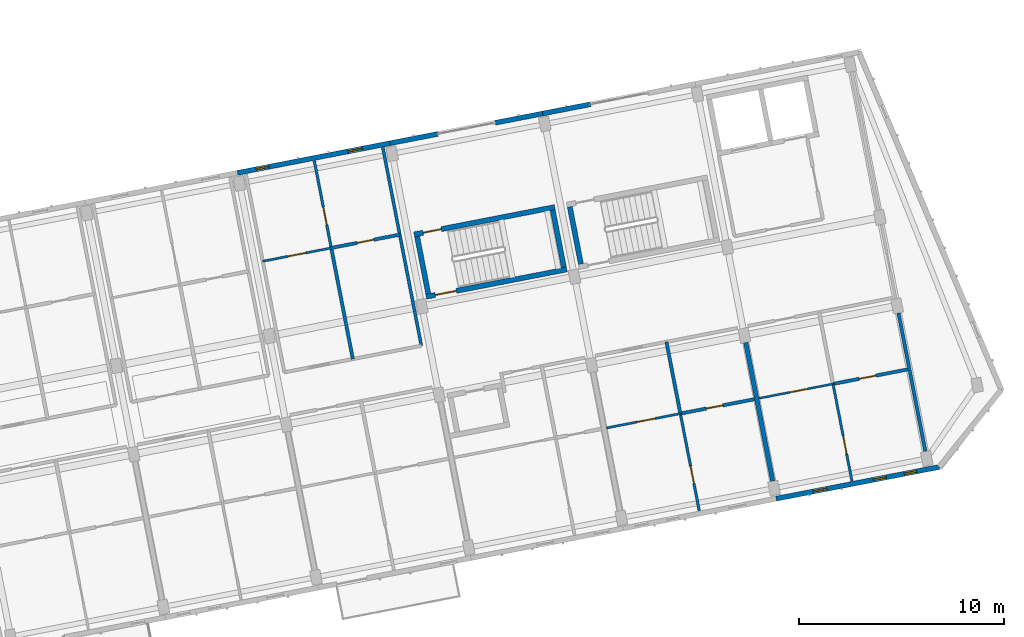
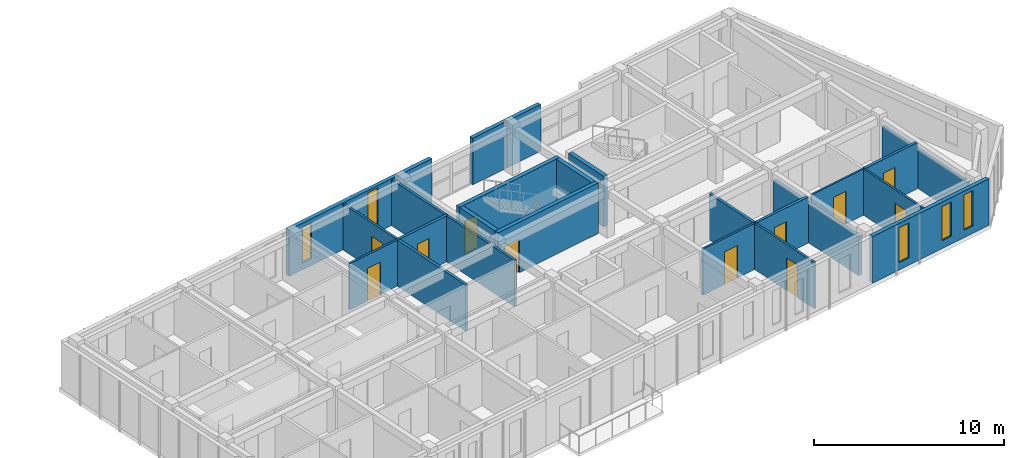
# One storey, part 89 of 127: 24 walls, 11 doors, 5 windows, 16 openings.
"""IFC4 building model written with IfcOpenShell, lengths in metres."""

from ifc_helpers import new_model, si_unit, direction, frame, frame_2d, origin, place, context, subcontext, project, spatial, rectangle, extrude, material, layer, layer_set, type_object, element, fill, save


model = new_model("IFC4")

# Units and contexts
model_context = context("Model", 3, precision=1e-05, world=origin(), true_north=direction((0.0, 1.0)))
body_context = subcontext(model_context, "Body", "Model", "MODEL_VIEW")
ifc_project = project(units=[si_unit("LENGTHUNIT", "METRE"), si_unit("AREAUNIT", "SQUARE_METRE"), si_unit("VOLUMEUNIT", "CUBIC_METRE"), si_unit("PLANEANGLEUNIT", "RADIAN"), si_unit("MASSUNIT", "GRAM", prefix="KILO")], contexts=[model_context])

# Site, building, storey
site_placement = place(None, origin())
site = spatial("IfcSite", under=ifc_project, at=site_placement, CompositionType="ELEMENT")
building_placement = place(site_placement, origin())
building = spatial("IfcBuilding", under=site, at=building_placement, Name="Kestramere Prow Commons", CompositionType="ELEMENT")
storey_placement = place(building_placement, frame((0.0, 0.0, 8.39990234375)))
storey = spatial("IfcBuildingStorey", under=building, at=storey_placement, Name="L02", CompositionType="ELEMENT", Elevation=8.39990234375)

# Wall, openings, windows
ifc_material_1 = material(Name="Fluoropolymer Standing-Seam Zinc-Aluminium Cladding", Category="aluminium")
ifc_layer_1 = layer(ifc_material_1, 0.239990234375)
ifc_layer_set_1 = layer_set([ifc_layer_1], Name="Fluoropolymer Standing-Seam Zinc-Aluminium Cladding")
wall_type_1 = type_object("IfcWallType", Name="EW-SEAM-240", PredefinedType="SOLIDWALL", material=ifc_layer_set_1)
wall_1_placement = place(storey_placement, frame((163.77783203125, 42.28564453125, 0.0), z_axis=(0.0, 0.0, 1.0), x_axis=(-0.981628367112, -0.190802905848, 0.0)))
wall_1 = element("IfcWall", 1, at=wall_1_placement, inside=storey, type_object=wall_type_1, Name="Block D L02 South Standing-Seam Wall 6", PredefinedType="SOLIDWALL", context=body_context, shape_type="SweptSolid", body=[
    extrude(rectangle(XDim=8.125, YDim=0.239990234375, at=frame_2d((4.0625, 0.0))), origin(), (0.0, 0.0, 1.0), 3.0),
])
opening_1_placement = place(wall_1_placement, frame((1.135009765625, 0.0, 0.47998046875)))
opening_1 = element("IfcOpeningElement", 2, at=opening_1_placement, cuts=wall_1, Name="Opening WN-03", PredefinedType="OPENING", context=body_context, shape_type="SweptSolid", body=[
    extrude(rectangle(XDim=0.6201171875, YDim=2.280029296875, at=frame_2d((0.31005859375, 1.14013671875))), frame((0.0, 0.135009765625, 0.0), z_axis=(0.0, -1.0, 0.0), x_axis=(1.0, 0.0, 0.0)), (0.0, 0.0, 1.0), 0.27001953125),
])
opening_2_placement = place(wall_1_placement, frame((2.636962890625, 0.0, 0.52001953125)))
opening_2 = element("IfcOpeningElement", 3, at=opening_2_placement, cuts=wall_1, Name="Opening WN-04", PredefinedType="OPENING", context=body_context, shape_type="SweptSolid", body=[
    extrude(rectangle(XDim=0.639892578125, YDim=2.179931640625, at=frame_2d((0.31982421875, 1.08984375))), frame((0.0, 0.135009765625, 0.0), z_axis=(0.0, -1.0, 0.0), x_axis=(1.0, 0.0, 0.0)), (0.0, 0.0, 1.0), 0.27001953125),
])
opening_3_placement = place(wall_1_placement, frame((5.597900390625, 0.0, 0.47998046875)))
opening_3 = element("IfcOpeningElement", 4, at=opening_3_placement, cuts=wall_1, Name="Opening WN-06", PredefinedType="OPENING", context=body_context, shape_type="SweptSolid", body=[
    extrude(rectangle(XDim=0.679931640625, YDim=2.239990234375, at=frame_2d((0.33984375, 1.1201171875))), frame((0.0, 0.135009765625, 0.0), z_axis=(0.0, -1.0, 0.0), x_axis=(1.0, 0.0, 0.0)), (0.0, 0.0, 1.0), 0.27001953125),
])
ifc_material_2 = material(Name="Low-E Laminated Double Glazing", Category="glass")
window_type_1 = type_object("IfcWindowType", Name="WN-NAR-620A", PartitioningType="SINGLE_PANEL", PredefinedType="WINDOW", material=ifc_material_2)
window_1_placement = place(opening_1_placement, origin())
window_1 = element("IfcWindow", 5, at=window_1_placement, inside=storey, type_object=window_type_1, Name="WN-D-L02-S-5-00", OverallHeight=2.280029296875, OverallWidth=0.6201171875, PartitioningType="SINGLE_PANEL", PredefinedType="WINDOW", context=body_context, shape_type="SweptSolid", body=[
    extrude(rectangle(XDim=0.6201171875, YDim=2.280029296875, at=frame_2d((0.31005859375, 1.14013671875))), frame((0.0, 0.030029296875, 0.0), z_axis=(0.0, -1.0, 0.0), x_axis=(1.0, 0.0, 0.0)), (0.0, 0.0, 1.0), 0.06005859375),
])
fill(opening_1, window_1)
window_type_2 = type_object("IfcWindowType", Name="WN-NAR-640A", PartitioningType="SINGLE_PANEL", PredefinedType="WINDOW", material=ifc_material_2)
window_2_placement = place(opening_2_placement, origin())
window_2 = element("IfcWindow", 6, at=window_2_placement, inside=storey, type_object=window_type_2, Name="WN-D-L02-S-5-01", OverallHeight=2.179931640625, OverallWidth=0.639892578125, PartitioningType="SINGLE_PANEL", PredefinedType="WINDOW", context=body_context, shape_type="SweptSolid", body=[
    extrude(rectangle(XDim=0.639892578125, YDim=2.179931640625, at=frame_2d((0.31982421875, 1.08984375))), frame((0.0, 0.030029296875, 0.0), z_axis=(0.0, -1.0, 0.0), x_axis=(1.0, 0.0, 0.0)), (0.0, 0.0, 1.0), 0.06005859375),
])
fill(opening_2, window_2)
window_type_3 = type_object("IfcWindowType", Name="WN-NAR-680A", PartitioningType="SINGLE_PANEL", PredefinedType="WINDOW", material=ifc_material_2)
window_3_placement = place(opening_3_placement, origin())
window_3 = element("IfcWindow", 7, at=window_3_placement, inside=storey, type_object=window_type_3, Name="WN-D-L02-S-5-10", OverallHeight=2.239990234375, OverallWidth=0.679931640625, PartitioningType="SINGLE_PANEL", PredefinedType="WINDOW", context=body_context, shape_type="SweptSolid", body=[
    extrude(rectangle(XDim=0.679931640625, YDim=2.239990234375, at=frame_2d((0.33984375, 1.1201171875))), frame((0.0, 0.030029296875, 0.0), z_axis=(0.0, -1.0, 0.0), x_axis=(1.0, 0.0, 0.0)), (0.0, 0.0, 1.0), 0.06005859375),
])
fill(opening_3, window_3)

wall_2_placement = place(storey_placement, frame((129.480712890625, 56.655517578125, 0.0), z_axis=(0.0, 0.0, 1.0), x_axis=(0.981626422232, 0.190812911449, 0.0)))
wall_2 = element("IfcWall", 8, at=wall_2_placement, inside=storey, type_object=wall_type_1, Name="Block D L02 North Standing-Seam Wall 3", PredefinedType="SOLIDWALL", context=body_context, shape_type="SweptSolid", body=[
    extrude(rectangle(XDim=7.60009765625, YDim=0.239990234375, at=frame_2d((3.800048828125, 0.0))), origin(), (0.0, 0.0, 1.0), 3.0),
])
opening_4_placement = place(wall_2_placement, frame((0.93359375, 0.0, 0.43994140625)))
opening_4 = element("IfcOpeningElement", 9, at=opening_4_placement, cuts=wall_2, Name="Opening WN-03", PredefinedType="OPENING", context=body_context, shape_type="SweptSolid", body=[
    extrude(rectangle(XDim=0.6201171875, YDim=2.280029296875, at=frame_2d((0.31005859375, 1.14013671875))), frame((0.0, 0.135009765625, 0.0), z_axis=(0.0, -1.0, 0.0), x_axis=(1.0, 0.0, 0.0)), (0.0, 0.0, 1.0), 0.27001953125),
])
opening_5_placement = place(wall_2_placement, frame((5.506103515625, 0.0, 0.5)))
opening_5 = element("IfcOpeningElement", 10, at=opening_5_placement, cuts=wall_2, Name="Opening WN-07", PredefinedType="OPENING", context=body_context, shape_type="SweptSolid", body=[
    extrude(rectangle(XDim=0.699951171875, YDim=2.360107421875, at=frame_2d((0.35009765625, 1.18017578125))), frame((0.0, 0.135009765625, 0.0), z_axis=(0.0, -1.0, 0.0), x_axis=(1.0, 0.0, 0.0)), (0.0, 0.0, 1.0), 0.27001953125),
])
window_4_placement = place(opening_4_placement, origin())
window_4 = element("IfcWindow", 11, at=window_4_placement, inside=storey, type_object=window_type_1, Name="WN-D-L02-N-2-0", OverallHeight=2.280029296875, OverallWidth=0.6201171875, PartitioningType="SINGLE_PANEL", PredefinedType="WINDOW", context=body_context, shape_type="SweptSolid", body=[
    extrude(rectangle(XDim=0.6201171875, YDim=2.280029296875, at=frame_2d((0.31005859375, 1.14013671875))), frame((0.0, 0.030029296875, 0.0), z_axis=(0.0, -1.0, 0.0), x_axis=(1.0, 0.0, 0.0)), (0.0, 0.0, 1.0), 0.06005859375),
])
fill(opening_4, window_4)
window_type_4 = type_object("IfcWindowType", Name="WN-NAR-700A", PartitioningType="SINGLE_PANEL", PredefinedType="WINDOW", material=ifc_material_2)
window_5_placement = place(opening_5_placement, origin())
window_5 = element("IfcWindow", 12, at=window_5_placement, inside=storey, type_object=window_type_4, Name="WN-D-L02-N-2-1", OverallHeight=2.360107421875, OverallWidth=0.699951171875, PartitioningType="SINGLE_PANEL", PredefinedType="WINDOW", context=body_context, shape_type="SweptSolid", body=[
    extrude(rectangle(XDim=0.699951171875, YDim=2.360107421875, at=frame_2d((0.35009765625, 1.18017578125))), frame((0.0, 0.030029296875, 0.0), z_axis=(0.0, -1.0, 0.0), x_axis=(1.0, 0.0, 0.0)), (0.0, 0.0, 1.0), 0.06005859375),
])
fill(opening_5, window_5)

# Walls
for number, where, z_axis, x_axis, name in (
    (13, (136.941162109375, 58.105712890625, 0.0), (0.0, 0.0, 1.0), (0.981629832251, 0.190795367961, 0.0), "Block D L02 North Standing-Seam Pier 4L"),
    (14, (142.070068359375, 59.102783203125, 0.0), (0.0, 0.0, 1.0), (0.981629832251, 0.190795367961, 0.0), "Block D L02 North Standing-Seam Pier 4R"),
):
    element("IfcWall", number, at=place(storey_placement, frame(where, z_axis=z_axis, x_axis=x_axis)), inside=storey, type_object=wall_type_1, Name=name, PredefinedType="SOLIDWALL", context=body_context, shape_type="SweptSolid", body=[
        extrude(rectangle(XDim=2.375, YDim=0.239990234375, at=frame_2d((1.1875, 0.0))), origin(), (0.0, 0.0, 1.0), 3.0),
    ])
wall_3_placement = place(storey_placement, frame((144.4013671875, 59.555908203125, 0.0), z_axis=(0.0, 0.0, 1.0), x_axis=(0.981633573872, 0.190776116556, 0.0)))
element("IfcWall", 15, at=wall_3_placement, inside=storey, type_object=wall_type_1, Name="Block D L02 North Standing-Seam Pier 5L", PredefinedType="SOLIDWALL", context=body_context, shape_type="SweptSolid", body=[
    extrude(rectangle(XDim=2.375244140625, YDim=0.239990234375, at=frame_2d((1.1875, 0.0))), origin(), (0.0, 0.0, 1.0), 3.0),
])

# Wall, opening, door
ifc_material_3 = material(Name="Concrete C40/50", Category="concrete")
ifc_layer_2 = layer(ifc_material_3, 0.25)
ifc_layer_set_2 = layer_set([ifc_layer_2], Name="Concrete C40/50")
wall_type_2 = type_object("IfcWallType", Name="W-CORE-250", PredefinedType="SHEAR", material=ifc_layer_set_2)
wall_4_placement = place(storey_placement, frame((138.11328125, 53.6474609375, 0.0), z_axis=(0.0, 0.0, 1.0), x_axis=(0.981626097708, 0.19081458094, 0.0)))
wall_4 = element("IfcWall", 16, at=wall_4_placement, inside=storey, type_object=wall_type_2, Name="ST-D1 L02 North Shaft Wall", PredefinedType="SHEAR", context=body_context, shape_type="SweptSolid", body=[
    extrude(rectangle(XDim=7.0, YDim=0.25, at=frame_2d((3.5, 0.0))), origin(), (0.0, 0.0, 1.0), 3.25),
])
opening_6_placement = place(wall_4_placement, frame((0.449951171875, 0.0, 0.0)))
opening_6 = element("IfcOpeningElement", 17, at=opening_6_placement, cuts=wall_4, Name="Opening ID-08", PredefinedType="OPENING", context=body_context, shape_type="SweptSolid", body=[
    extrude(rectangle(XDim=0.89990234375, YDim=2.10009765625, at=frame_2d((0.449951171875, 1.050048828125))), frame((0.0, 0.139892578125, 0.0), z_axis=(0.0, -1.0, 0.0), x_axis=(1.0, 0.0, 0.0)), (0.0, 0.0, 1.0), 0.280029296875),
])
ifc_material_4 = material(Name="Engineered Timber Flush Door", Category="wood")
door_type_1 = type_object("IfcDoorType", Name="D-RM-01", OperationType="NOTDEFINED", PredefinedType="DOOR", material=ifc_material_4)
door_1_placement = place(opening_6_placement, origin())
door_1 = element("IfcDoor", 18, at=door_1_placement, inside=storey, type_object=door_type_1, Name="ST-D1 L02 North Room Door", OperationType="SINGLE_SWING_RIGHT", OverallHeight=2.10009765625, OverallWidth=0.89990234375, PredefinedType="DOOR", context=body_context, shape_type="SweptSolid", body=[
    extrude(rectangle(XDim=0.89990234375, YDim=2.10009765625, at=frame_2d((0.449951171875, 1.050048828125))), frame((0.0, 0.02490234375, 0.0), z_axis=(0.0, -1.0, 0.0), x_axis=(1.0, 0.0, 0.0)), (0.0, 0.0, 1.0), 0.050048828125),
])
fill(opening_6, door_1)

wall_5_placement = place(storey_placement, frame((138.704833984375, 50.6044921875, 0.0), z_axis=(0.0, 0.0, 1.0), x_axis=(0.981626097708, 0.19081458094, 0.0)))
wall_5 = element("IfcWall", 19, at=wall_5_placement, inside=storey, type_object=wall_type_2, Name="ST-D1 L02 Corridor Shaft Wall", PredefinedType="SHEAR", context=body_context, shape_type="SweptSolid", body=[
    extrude(rectangle(XDim=7.0, YDim=0.25, at=frame_2d((3.5, 0.0))), origin(), (0.0, 0.0, 1.0), 3.25),
])
opening_7_placement = place(wall_5_placement, frame((0.449951171875, 0.0, 0.0)))
opening_7 = element("IfcOpeningElement", 20, at=opening_7_placement, cuts=wall_5, Name="Opening ID-01", PredefinedType="OPENING", context=body_context, shape_type="SweptSolid", body=[
    extrude(rectangle(XDim=1.050048828125, YDim=2.14990234375, at=frame_2d((0.52490234375, 1.074951171875))), frame((0.0, 0.139892578125, 0.0), z_axis=(0.0, -1.0, 0.0), x_axis=(1.0, 0.0, 0.0)), (0.0, 0.0, 1.0), 0.280029296875),
])
ifc_material_5 = material(Name="Fire-Rated Timber and Steel Frame", Category="steel")
door_type_2 = type_object("IfcDoorType", Name="FD-ST-01", OperationType="NOTDEFINED", PredefinedType="DOOR", material=ifc_material_5)
door_2_placement = place(opening_7_placement, origin())
door_2 = element("IfcDoor", 21, at=door_2_placement, inside=storey, type_object=door_type_2, Name="ST-D1 L02 Protected Stair Door", OperationType="SINGLE_SWING_LEFT", OverallHeight=2.14990234375, OverallWidth=1.050048828125, PredefinedType="DOOR", context=body_context, shape_type="SweptSolid", body=[
    extrude(rectangle(XDim=1.050048828125, YDim=2.14990234375, at=frame_2d((0.52490234375, 1.074951171875))), frame((0.0, 0.02490234375, 0.0), z_axis=(0.0, -1.0, 0.0), x_axis=(1.0, 0.0, 0.0)), (0.0, 0.0, 1.0), 0.050048828125),
])
fill(opening_7, door_2)

# Walls
wall_6_placement = place(storey_placement, frame((138.8037109375, 50.7509765625, 0.0), z_axis=(0.0, 0.0, 1.0), x_axis=(-0.190858194834, 0.981617618762, 0.0)))
element("IfcWall", 22, at=wall_6_placement, inside=storey, type_object=wall_type_2, Name="ST-D1 L02 Near Shaft Wall", PredefinedType="SHEAR", context=body_context, shape_type="SweptSolid", body=[
    extrude(rectangle(XDim=2.85009765625, YDim=0.25, at=frame_2d((1.425048828125, 0.0))), origin(), (0.0, 0.0, 1.0), 3.25),
])
wall_7_placement = place(storey_placement, frame((145.4296875, 52.038818359375, 0.0), z_axis=(0.0, 0.0, 1.0), x_axis=(-0.190842147128, 0.981620738819, 0.0)))
element("IfcWall", 23, at=wall_7_placement, inside=storey, type_object=wall_type_2, Name="ST-D1 L02 Far Shaft Wall", PredefinedType="SHEAR", context=body_context, shape_type="SweptSolid", body=[
    extrude(rectangle(XDim=2.850341796875, YDim=0.25, at=frame_2d((1.42529296875, 0.0))), origin(), (0.0, 0.0, 1.0), 3.25),
])
wall_8_placement = place(storey_placement, frame((146.263916015625, 52.201171875, 0.0), z_axis=(0.0, 0.0, 1.0), x_axis=(-0.190775649797, 0.981633664584, 0.0)))
element("IfcWall", 24, at=wall_8_placement, inside=storey, type_object=wall_type_2, Name="ST-D2 L02 Near Shaft Wall", PredefinedType="SHEAR", context=body_context, shape_type="SweptSolid", body=[
    extrude(rectangle(XDim=2.849853515625, YDim=0.25, at=frame_2d((1.4248046875, 0.0))), origin(), (0.0, 0.0, 1.0), 3.25),
])

# Wall, opening, door
ifc_material_6 = material(Name="Gypsum Acoustic Drywall")
ifc_layer_3 = layer(ifc_material_6, 0.10009765625)
ifc_layer_set_3 = layer_set([ifc_layer_3], Name="Gypsum Acoustic Drywall")
wall_type_3 = type_object("IfcWallType", Name="W-PART-100", PredefinedType="PARTITIONING", material=ifc_layer_set_3)
wall_9_placement = place(storey_placement, frame((154.965576171875, 45.640869140625, 0.0), z_axis=(0.0, 0.0, 1.0), x_axis=(0.981628834294, 0.190800502313, 0.0)))
wall_9 = element("IfcWall", 25, at=wall_9_placement, inside=storey, type_object=wall_type_3, Name="Interior Partition PW-D-L02-MIDS1-5", PredefinedType="PARTITIONING", context=body_context, shape_type="SweptSolid", body=[
    extrude(rectangle(XDim=3.68505859375, YDim=0.10009765625, at=frame_2d((1.842529296875, 0.0))), origin(), (0.0, 0.0, 1.0), 2.97021484375),
])
opening_8_placement = place(wall_9_placement, frame((1.52490234375, 0.0, 0.0)))
opening_8 = element("IfcOpeningElement", 26, at=opening_8_placement, cuts=wall_9, Name="Opening ID-10", PredefinedType="OPENING", context=body_context, shape_type="SweptSolid", body=[
    extrude(rectangle(XDim=0.8798828125, YDim=2.10009765625, at=frame_2d((0.43994140625, 1.050048828125))), frame((0.0, 0.06494140625, 0.0), z_axis=(0.0, -1.0, 0.0), x_axis=(1.0, 0.0, 0.0)), (0.0, 0.0, 1.0), 0.130126953125),
])
ifc_material_7 = material(Name="Engineered Timber Bedroom Door", Category="wood")
door_type_3 = type_object("IfcDoorType", Name="D-RM-03", OperationType="NOTDEFINED", PredefinedType="DOOR", material=ifc_material_7)
door_3_placement = place(opening_8_placement, origin())
door_3 = element("IfcDoor", 27, at=door_3_placement, inside=storey, type_object=door_type_3, Name="Interior Door DR-D-L02-KL-S5", OperationType="SINGLE_SWING_RIGHT", OverallHeight=2.10009765625, OverallWidth=0.8798828125, PredefinedType="DOOR", context=body_context, shape_type="SweptSolid", body=[
    extrude(rectangle(XDim=0.8798828125, YDim=2.10009765625, at=frame_2d((0.43994140625, 1.050048828125))), frame((0.0, 0.02490234375, 0.0), z_axis=(0.0, -1.0, 0.0), x_axis=(1.0, 0.0, 0.0)), (0.0, 0.0, 1.0), 0.050048828125),
])
fill(opening_8, door_3)

ifc_layer_4 = layer(ifc_material_6, 0.110107421875)
ifc_layer_set_4 = layer_set([ifc_layer_4], Name="Gypsum Acoustic Drywall")
wall_type_4 = type_object("IfcWallType", Name="W-PART-110", PredefinedType="PARTITIONING", material=ifc_layer_set_4)
wall_10_placement = place(storey_placement, frame((147.50537109375, 44.190673828125, 0.0), z_axis=(0.0, 0.0, 1.0), x_axis=(0.981626422232, 0.190812911449, 0.0)))
wall_10 = element("IfcWall", 28, at=wall_10_placement, inside=storey, type_object=wall_type_4, Name="Interior Partition PW-D-L02-MIDS1-4", PredefinedType="PARTITIONING", context=body_context, shape_type="SweptSolid", body=[
    extrude(rectangle(XDim=3.684814453125, YDim=0.110107421875, at=frame_2d((1.84228515625, 0.0))), origin(), (0.0, 0.0, 1.0), 2.97021484375),
])
opening_9_placement = place(wall_10_placement, frame((1.52490234375, 0.0, 0.0)))
opening_9 = element("IfcOpeningElement", 29, at=opening_9_placement, cuts=wall_10, Name="Opening ID-08", PredefinedType="OPENING", context=body_context, shape_type="SweptSolid", body=[
    extrude(rectangle(XDim=0.89990234375, YDim=2.10009765625, at=frame_2d((0.449951171875, 1.050048828125))), frame((0.0, 0.070068359375, 0.0), z_axis=(0.0, -1.0, 0.0), x_axis=(1.0, 0.0, 0.0)), (0.0, 0.0, 1.0), 0.14013671875),
])
door_4_placement = place(opening_9_placement, origin())
door_4 = element("IfcDoor", 30, at=door_4_placement, inside=storey, type_object=door_type_1, Name="Interior Door DR-D-L02-KL-S4", OperationType="SINGLE_SWING_RIGHT", OverallHeight=2.10009765625, OverallWidth=0.89990234375, PredefinedType="DOOR", context=body_context, shape_type="SweptSolid", body=[
    extrude(rectangle(XDim=0.89990234375, YDim=2.10009765625, at=frame_2d((0.449951171875, 1.050048828125))), frame((0.0, 0.02490234375, 0.0), z_axis=(0.0, -1.0, 0.0), x_axis=(1.0, 0.0, 0.0)), (0.0, 0.0, 1.0), 0.050048828125),
])
fill(opening_9, door_4)

wall_11_placement = place(storey_placement, frame((130.71728515625, 52.337158203125, 0.0), z_axis=(0.0, 0.0, 1.0), x_axis=(0.981629173664, 0.190798756314, 0.0)))
wall_11 = element("IfcWall", 31, at=wall_11_placement, inside=storey, type_object=wall_type_4, Name="Interior Partition PW-D-L02-MIDN1-2", PredefinedType="PARTITIONING", context=body_context, shape_type="SweptSolid", body=[
    extrude(rectangle(XDim=3.41015625, YDim=0.110107421875, at=frame_2d((1.705078125, 0.0))), origin(), (0.0, 0.0, 1.0), 2.97021484375),
])
opening_10_placement = place(wall_11_placement, frame((1.2548828125, 0.0, 0.0)))
opening_10 = element("IfcOpeningElement", 32, at=opening_10_placement, cuts=wall_11, Name="Opening ID-08", PredefinedType="OPENING", context=body_context, shape_type="SweptSolid", body=[
    extrude(rectangle(XDim=0.89990234375, YDim=2.10009765625, at=frame_2d((0.449951171875, 1.050048828125))), frame((0.0, 0.070068359375, 0.0), z_axis=(0.0, -1.0, 0.0), x_axis=(1.0, 0.0, 0.0)), (0.0, 0.0, 1.0), 0.14013671875),
])
door_5_placement = place(opening_10_placement, origin())
door_5 = element("IfcDoor", 33, at=door_5_placement, inside=storey, type_object=door_type_1, Name="Interior Door DR-D-L02-KL-N2", OperationType="SINGLE_SWING_LEFT", OverallHeight=2.10009765625, OverallWidth=0.89990234375, PredefinedType="DOOR", context=body_context, shape_type="SweptSolid", body=[
    extrude(rectangle(XDim=0.89990234375, YDim=2.10009765625, at=frame_2d((0.449951171875, 1.050048828125))), frame((0.0, 0.02490234375, 0.0), z_axis=(0.0, -1.0, 0.0), x_axis=(1.0, 0.0, 0.0)), (0.0, 0.0, 1.0), 0.050048828125),
])
fill(opening_10, door_5)

ifc_material_8 = material(Name="Lightweight Blockwork and Plaster", Category="masonry")
ifc_layer_5 = layer(ifc_material_8, 0.1201171875)
ifc_layer_set_5 = layer_set([ifc_layer_5], Name="Lightweight Blockwork and Plaster")
wall_type_5 = type_object("IfcWallType", Name="W-PART-120", PredefinedType="PARTITIONING", material=ifc_layer_set_5)
wall_12_placement = place(storey_placement, frame((159.50634765625, 41.593017578125, 0.0), z_axis=(0.0, 0.0, 1.0), x_axis=(-0.190777847092, 0.981633237548, 0.0)))
wall_12 = element("IfcWall", 34, at=wall_12_placement, inside=storey, type_object=wall_type_5, Name="Interior Partition PW-D-L02-LB-S5", PredefinedType="PARTITIONING", context=body_context, shape_type="SweptSolid", body=[
    extrude(rectangle(XDim=4.83984375, YDim=0.1201171875, at=frame_2d((2.419921875, 0.0))), origin(), (0.0, 0.0, 1.0), 2.97021484375),
])
opening_11_placement = place(wall_12_placement, frame((1.35009765625, 0.0, 0.0)))
opening_11 = element("IfcOpeningElement", 35, at=opening_11_placement, cuts=wall_12, Name="Opening ID-08", PredefinedType="OPENING", context=body_context, shape_type="SweptSolid", body=[
    extrude(rectangle(XDim=0.89990234375, YDim=2.10009765625, at=frame_2d((0.449951171875, 1.050048828125))), frame((0.0, 0.074951171875, 0.0), z_axis=(0.0, -1.0, 0.0), x_axis=(1.0, 0.0, 0.0)), (0.0, 0.0, 1.0), 0.150146484375),
])
door_6_placement = place(opening_11_placement, origin())
door_6 = element("IfcDoor", 36, at=door_6_placement, inside=storey, type_object=door_type_1, Name="Interior Door DR-D-L02-BED-S5", OperationType="SINGLE_SWING_RIGHT", OverallHeight=2.10009765625, OverallWidth=0.89990234375, PredefinedType="DOOR", context=body_context, shape_type="SweptSolid", body=[
    extrude(rectangle(XDim=0.89990234375, YDim=2.10009765625, at=frame_2d((0.449951171875, 1.050048828125))), frame((0.0, 0.02490234375, 0.0), z_axis=(0.0, -1.0, 0.0), x_axis=(1.0, 0.0, 0.0)), (0.0, 0.0, 1.0), 0.050048828125),
])
fill(opening_11, door_6)

ifc_layer_6 = layer(ifc_material_8, 0.1298828125)
ifc_layer_set_6 = layer_set([ifc_layer_6], Name="Lightweight Blockwork and Plaster")
wall_type_6 = type_object("IfcWallType", Name="W-PART-130", PredefinedType="PARTITIONING", material=ifc_layer_set_6)
wall_13_placement = place(storey_placement, frame((152.046142578125, 40.142822265625, 0.0), z_axis=(0.0, 0.0, 1.0), x_axis=(-0.190826454074, 0.98162378966, 0.0)))
wall_13 = element("IfcWall", 37, at=wall_13_placement, inside=storey, type_object=wall_type_6, Name="Interior Partition PW-D-L02-LB-S4", PredefinedType="PARTITIONING", context=body_context, shape_type="SweptSolid", body=[
    extrude(rectangle(XDim=4.83984375, YDim=0.1298828125, at=frame_2d((2.419921875, 0.0))), origin(), (0.0, 0.0, 1.0), 2.97021484375),
])
opening_12_placement = place(wall_13_placement, frame((1.35009765625, 0.0, 0.0)))
opening_12 = element("IfcOpeningElement", 38, at=opening_12_placement, cuts=wall_13, Name="Opening ID-10", PredefinedType="OPENING", context=body_context, shape_type="SweptSolid", body=[
    extrude(rectangle(XDim=0.8798828125, YDim=2.10009765625, at=frame_2d((0.43994140625, 1.050048828125))), frame((0.0, 0.079833984375, 0.0), z_axis=(0.0, -1.0, 0.0), x_axis=(1.0, 0.0, 0.0)), (0.0, 0.0, 1.0), 0.159912109375),
])
door_7_placement = place(opening_12_placement, origin())
door_7 = element("IfcDoor", 39, at=door_7_placement, inside=storey, type_object=door_type_3, Name="Interior Door DR-D-L02-BED-S4", OperationType="SINGLE_SWING_LEFT", OverallHeight=2.10009765625, OverallWidth=0.8798828125, PredefinedType="DOOR", context=body_context, shape_type="SweptSolid", body=[
    extrude(rectangle(XDim=0.8798828125, YDim=2.10009765625, at=frame_2d((0.43994140625, 1.050048828125))), frame((0.0, 0.02490234375, 0.0), z_axis=(0.0, -1.0, 0.0), x_axis=(1.0, 0.0, 0.0)), (0.0, 0.0, 1.0), 0.050048828125),
])
fill(opening_12, door_7)

wall_14_placement = place(storey_placement, frame((134.064697265625, 52.98779296875, 0.0), z_axis=(0.0, 0.0, 1.0), x_axis=(-0.190812443151, 0.981626513262, 0.0)))
wall_14 = element("IfcWall", 40, at=wall_14_placement, inside=storey, type_object=wall_type_6, Name="Interior Partition PW-D-L02-LB-N2", PredefinedType="PARTITIONING", context=body_context, shape_type="SweptSolid", body=[
    extrude(rectangle(XDim=4.340087890625, YDim=0.1298828125, at=frame_2d((2.169921875, 0.0))), origin(), (0.0, 0.0, 1.0), 2.97021484375),
])
opening_13_placement = place(wall_14_placement, frame((1.14990234375, 0.0, 0.0)))
opening_13 = element("IfcOpeningElement", 41, at=opening_13_placement, cuts=wall_14, Name="Opening ID-10", PredefinedType="OPENING", context=body_context, shape_type="SweptSolid", body=[
    extrude(rectangle(XDim=0.8798828125, YDim=2.10009765625, at=frame_2d((0.43994140625, 1.050048828125))), frame((0.0, 0.079833984375, 0.0), z_axis=(0.0, -1.0, 0.0), x_axis=(1.0, 0.0, 0.0)), (0.0, 0.0, 1.0), 0.159912109375),
])
door_8_placement = place(opening_13_placement, origin())
door_8 = element("IfcDoor", 42, at=door_8_placement, inside=storey, type_object=door_type_3, Name="Interior Door DR-D-L02-BED-N2", OperationType="SINGLE_SWING_LEFT", OverallHeight=2.10009765625, OverallWidth=0.8798828125, PredefinedType="DOOR", context=body_context, shape_type="SweptSolid", body=[
    extrude(rectangle(XDim=0.8798828125, YDim=2.10009765625, at=frame_2d((0.43994140625, 1.050048828125))), frame((0.0, 0.02490234375, 0.0), z_axis=(0.0, -1.0, 0.0), x_axis=(1.0, 0.0, 0.0)), (0.0, 0.0, 1.0), 0.050048828125),
])
fill(opening_13, door_8)

# Walls
ifc_material_9 = material(Name="Masonry Compartment Wall", Category="masonry")
ifc_layer_7 = layer(ifc_material_9, 0.14990234375)
ifc_layer_set_7 = layer_set([ifc_layer_7], Name="Masonry Compartment Wall")
wall_type_7 = type_object("IfcWallType", Name="W-PART-150", PredefinedType="PARTITIONING", material=ifc_layer_set_7)
wall_15_placement = place(storey_placement, frame((138.46728515625, 48.210205078125, 0.0), z_axis=(0.0, 0.0, 1.0), x_axis=(-0.190814044018, 0.981626202078, 0.0)))
element("IfcWall", 43, at=wall_15_placement, inside=storey, type_object=wall_type_7, Name="Interior Partition PW-D-L02-NWR-2", PredefinedType="PARTITIONING", context=body_context, shape_type="SweptSolid", body=[
    extrude(rectangle(XDim=9.869873046875, YDim=0.14990234375, at=frame_2d((4.93505859375, 0.0))), origin(), (0.0, 0.0, 1.0), 2.97021484375),
])
ifc_material_10 = material(Name="Waterproof Sanitary Masonry Wall", Category="masonry")
ifc_layer_8 = layer(ifc_material_10, 0.1650390625)
ifc_layer_set_8 = layer_set([ifc_layer_8], Name="Waterproof Sanitary Masonry Wall")
wall_type_8 = type_object("IfcWallType", Name="W-PLUMB-150", PredefinedType="PLUMBINGWALL", material=ifc_layer_set_8)
wall_16_placement = place(storey_placement, frame((163.093505859375, 43.05419921875, 0.0), z_axis=(0.0, 0.0, 1.0), x_axis=(-0.190804123115, 0.981628130507, 0.0)))
element("IfcWall", 44, at=wall_16_placement, inside=storey, type_object=wall_type_8, Name="Interior Partition PW-D-L02-PRWE-S", PredefinedType="PLUMBINGWALL", context=body_context, shape_type="SweptSolid", body=[
    extrude(rectangle(XDim=6.880126953125, YDim=0.1650390625, at=frame_2d((3.43994140625, 0.0))), origin(), (0.0, 0.0, 1.0), 2.5),
])

# Wall, opening, door
wall_17_placement = place(storey_placement, frame((151.12255859375, 44.893798828125, 0.0), z_axis=(0.0, 0.0, 1.0), x_axis=(0.981626422232, 0.190812911449, 0.0)))
wall_17 = element("IfcWall", 45, at=wall_17_placement, inside=storey, type_object=wall_type_8, Name="Interior Partition PW-D-L02-MIDS2-4", PredefinedType="PLUMBINGWALL", context=body_context, shape_type="SweptSolid", body=[
    extrude(rectangle(XDim=3.684814453125, YDim=0.1650390625, at=frame_2d((1.84228515625, 0.0))), origin(), (0.0, 0.0, 1.0), 2.97021484375),
])
opening_14_placement = place(wall_17_placement, frame((1.300048828125, 0.0, 0.0)))
opening_14 = element("IfcOpeningElement", 46, at=opening_14_placement, cuts=wall_17, Name="Opening ID-11", PredefinedType="OPENING", context=body_context, shape_type="SweptSolid", body=[
    extrude(rectangle(XDim=0.820068359375, YDim=2.080078125, at=frame_2d((0.41015625, 1.0400390625))), frame((0.0, 0.097412109375, 0.0), z_axis=(0.0, -1.0, 0.0), x_axis=(1.0, 0.0, 0.0)), (0.0, 0.0, 1.0), 0.195068359375),
])
ifc_material_11 = material(Name="Moisture-Resistant Timber Bathroom Door", Category="wood")
door_type_4 = type_object("IfcDoorType", Name="D-BT-01", OperationType="NOTDEFINED", PredefinedType="DOOR", material=ifc_material_11)
door_9_placement = place(opening_14_placement, origin())
door_9 = element("IfcDoor", 47, at=door_9_placement, inside=storey, type_object=door_type_4, Name="Interior Door DR-D-L02-BTH-S4", OperationType="SINGLE_SWING_LEFT", OverallHeight=2.080078125, OverallWidth=0.820068359375, PredefinedType="DOOR", context=body_context, shape_type="SweptSolid", body=[
    extrude(rectangle(XDim=0.820068359375, YDim=2.080078125, at=frame_2d((0.41015625, 1.0400390625))), frame((0.0, 0.02490234375, 0.0), z_axis=(0.0, -1.0, 0.0), x_axis=(1.0, 0.0, 0.0)), (0.0, 0.0, 1.0), 0.050048828125),
])
fill(opening_14, door_9)

# Wall
wall_18_placement = place(storey_placement, frame((151.12255859375, 44.893798828125, 0.0), z_axis=(0.0, 0.0, 1.0), x_axis=(-0.190787294327, 0.981631401455, 0.0)))
element("IfcWall", 48, at=wall_18_placement, inside=storey, type_object=wall_type_8, Name="Interior Partition PW-D-L02-KB-S4", PredefinedType="PLUMBINGWALL", context=body_context, shape_type="SweptSolid", body=[
    extrude(rectangle(XDim=3.5703125, YDim=0.1650390625, at=frame_2d((1.78515625, 0.0))), origin(), (0.0, 0.0, 1.0), 2.97021484375),
])

# Wall, opening, door
wall_19_placement = place(storey_placement, frame((158.5830078125, 46.343994140625, 0.0), z_axis=(0.0, 0.0, 1.0), x_axis=(0.981621896267, 0.190836193549, 0.0)))
wall_19 = element("IfcWall", 49, at=wall_19_placement, inside=storey, type_object=wall_type_8, Name="Interior Partition PW-D-L02-MIDS2-5", PredefinedType="PLUMBINGWALL", context=body_context, shape_type="SweptSolid", body=[
    extrude(rectangle(XDim=3.7099609375, YDim=0.1650390625, at=frame_2d((1.85498046875, 0.0))), origin(), (0.0, 0.0, 1.0), 2.97021484375),
])
opening_15_placement = place(wall_19_placement, frame((1.300048828125, 0.0, 0.0)))
opening_15 = element("IfcOpeningElement", 50, at=opening_15_placement, cuts=wall_19, Name="Opening ID-11", PredefinedType="OPENING", context=body_context, shape_type="SweptSolid", body=[
    extrude(rectangle(XDim=0.820068359375, YDim=2.080078125, at=frame_2d((0.41015625, 1.0400390625))), frame((0.0, 0.097412109375, 0.0), z_axis=(0.0, -1.0, 0.0), x_axis=(1.0, 0.0, 0.0)), (0.0, 0.0, 1.0), 0.195068359375),
])
door_10_placement = place(opening_15_placement, origin())
door_10 = element("IfcDoor", 51, at=door_10_placement, inside=storey, type_object=door_type_4, Name="Interior Door DR-D-L02-BTH-S5", OperationType="SINGLE_SWING_LEFT", OverallHeight=2.080078125, OverallWidth=0.820068359375, PredefinedType="DOOR", context=body_context, shape_type="SweptSolid", body=[
    extrude(rectangle(XDim=0.820068359375, YDim=2.080078125, at=frame_2d((0.41015625, 1.0400390625))), frame((0.0, 0.02490234375, 0.0), z_axis=(0.0, -1.0, 0.0), x_axis=(1.0, 0.0, 0.0)), (0.0, 0.0, 1.0), 0.050048828125),
])
fill(opening_15, door_10)

wall_20_placement = place(storey_placement, frame((134.064697265625, 52.98779296875, 0.0), z_axis=(0.0, 0.0, 1.0), x_axis=(0.981629173664, 0.190798756314, 0.0)))
wall_20 = element("IfcWall", 52, at=wall_20_placement, inside=storey, type_object=wall_type_8, Name="Interior Partition PW-D-L02-MIDN2-2", PredefinedType="PLUMBINGWALL", context=body_context, shape_type="SweptSolid", body=[
    extrude(rectangle(XDim=3.41015625, YDim=0.1650390625, at=frame_2d((1.705078125, 0.0))), origin(), (0.0, 0.0, 1.0), 2.97021484375),
])
opening_16_placement = place(wall_20_placement, frame((1.294921875, 0.0, 0.0)))
opening_16 = element("IfcOpeningElement", 53, at=opening_16_placement, cuts=wall_20, Name="Opening ID-11", PredefinedType="OPENING", context=body_context, shape_type="SweptSolid", body=[
    extrude(rectangle(XDim=0.820068359375, YDim=2.080078125, at=frame_2d((0.41015625, 1.0400390625))), frame((0.0, 0.097412109375, 0.0), z_axis=(0.0, -1.0, 0.0), x_axis=(1.0, 0.0, 0.0)), (0.0, 0.0, 1.0), 0.195068359375),
])
door_11_placement = place(opening_16_placement, origin())
door_11 = element("IfcDoor", 54, at=door_11_placement, inside=storey, type_object=door_type_4, Name="Interior Door DR-D-L02-BTH-N2", OperationType="SINGLE_SWING_RIGHT", OverallHeight=2.080078125, OverallWidth=0.820068359375, PredefinedType="DOOR", context=body_context, shape_type="SweptSolid", body=[
    extrude(rectangle(XDim=0.820068359375, YDim=2.080078125, at=frame_2d((0.41015625, 1.0400390625))), frame((0.0, 0.02490234375, 0.0), z_axis=(0.0, -1.0, 0.0), x_axis=(1.0, 0.0, 0.0)), (0.0, 0.0, 1.0), 0.050048828125),
])
fill(opening_16, door_11)

# Walls
wall_21_placement = place(storey_placement, frame((135.119873046875, 47.559326171875, 0.0), z_axis=(0.0, 0.0, 1.0), x_axis=(-0.190807031124, 0.981627565258, 0.0)))
element("IfcWall", 55, at=wall_21_placement, inside=storey, type_object=wall_type_8, Name="Interior Partition PW-D-L02-KB-N2", PredefinedType="PLUMBINGWALL", context=body_context, shape_type="SweptSolid", body=[
    extrude(rectangle(XDim=5.530029296875, YDim=0.1650390625, at=frame_2d((2.76513671875, 0.0))), origin(), (0.0, 0.0, 1.0), 2.97021484375),
])
ifc_material_12 = material(Name="Precast concrete C40/50", Category="concrete")
ifc_layer_9 = layer(ifc_material_12, 0.219970703125)
ifc_layer_set_9 = layer_set([ifc_layer_9], Name="Precast concrete C40/50")
wall_type_9 = type_object("IfcWallType", Name="W-XWALL-220", PredefinedType="SHEAR", material=ifc_layer_set_9)
wall_22_placement = place(storey_placement, frame((155.635009765625, 41.59423828125, 0.0), z_axis=(0.0, 0.0, 1.0), x_axis=(-0.190819465253, 0.981625148252, 0.0)))
element("IfcWall", 56, at=wall_22_placement, inside=storey, type_object=wall_type_9, Name="Block D L02 Precast Cross-Wall 5", PredefinedType="SHEAR", context=body_context, shape_type="SweptSolid", body=[
    extrude(rectangle(XDim=6.89990234375, YDim=0.219970703125, at=frame_2d((3.449951171875, 0.0))), origin(), (0.0, 0.0, 1.0), 2.5),
])

save(model, "model.ifc")
